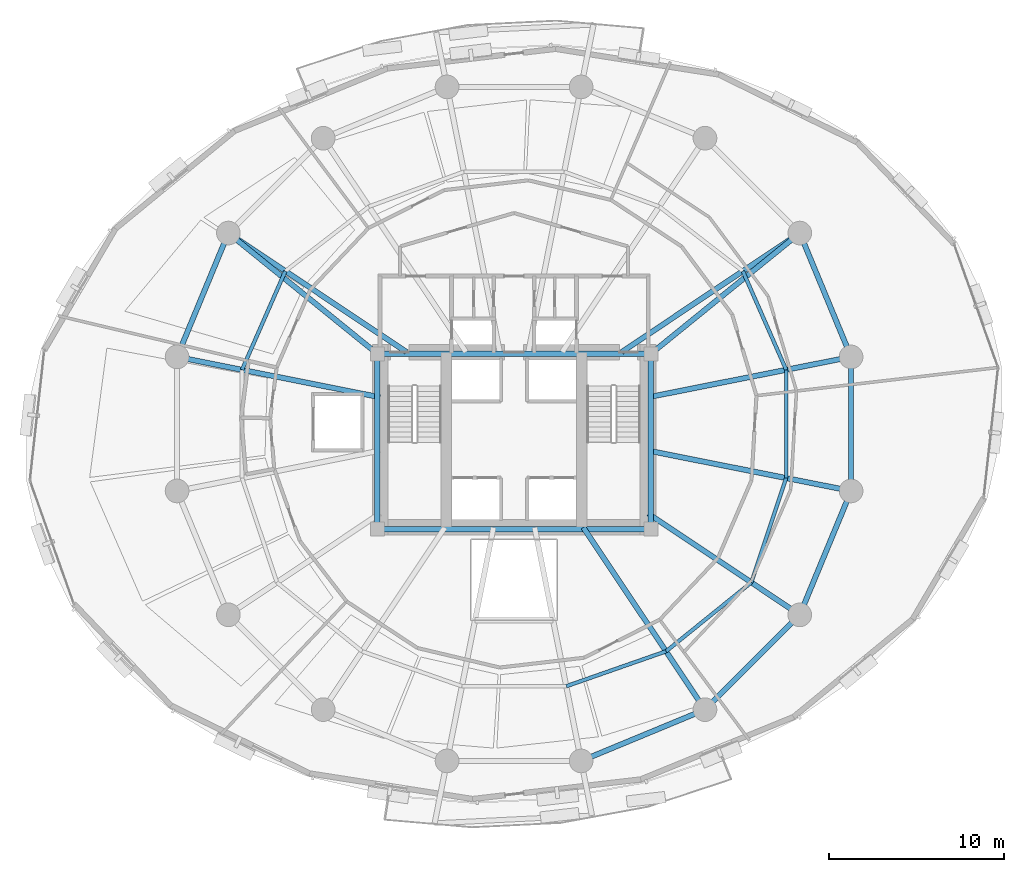
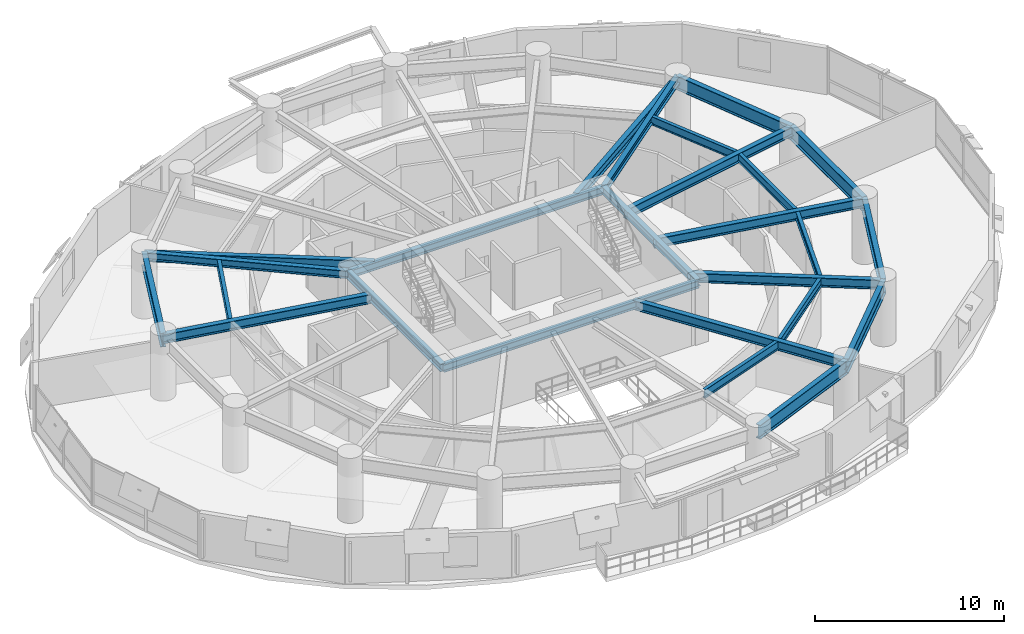
# One storey, part 7 of 17: 25 beams.
"""IFC4 building model written with IfcOpenShell, lengths in metres."""

from ifc_helpers import new_model, si_unit, direction, frame, origin, origin_2d, place, context, subcontext, project, spatial, i_section, extrude, material, material_profile, profile_set, type_object, element, save


model = new_model("IFC4")

# Units and contexts
model_context = context("Model", 3, precision=1e-05, world=origin(), true_north=direction((0.0, 1.0)))
body_context = subcontext(model_context, "Body", "Model", "MODEL_VIEW")
ifc_project = project(units=[si_unit("LENGTHUNIT", "METRE"), si_unit("AREAUNIT", "SQUARE_METRE"), si_unit("VOLUMEUNIT", "CUBIC_METRE"), si_unit("PLANEANGLEUNIT", "RADIAN"), si_unit("MASSUNIT", "GRAM", prefix="KILO"), si_unit("THERMODYNAMICTEMPERATUREUNIT", "KELVIN"), si_unit("POWERUNIT", "WATT")], contexts=[model_context])

# Site, building, storey
site_placement = place(None, origin())
site = spatial("IfcSite", under=ifc_project, at=site_placement, CompositionType="ELEMENT")
building_placement = place(site_placement, origin())
building = spatial("IfcBuilding", under=site, at=building_placement, Name="Ocrelia Relay Tower", CompositionType="ELEMENT")
storey_placement = place(building_placement, frame((0.0, 0.0, 59.39990234375)))
storey = spatial("IfcBuildingStorey", under=building, at=storey_placement, Name="L13", CompositionType="ELEMENT", Elevation=59.39990234375)

# Beams
ifc_material = material(Name="Steel S355", Category="steel")
ifc_material_profile_1 = material_profile(ifc_material, i_section(OverallWidth=0.300048828125, OverallDepth=0.5, WebThickness=0.014404296875, FlangeThickness=0.028076171875, FilletRadius=0.027099609375, at=origin_2d()), Name="HEB 500")
ifc_profile_set_1 = profile_set([ifc_material_profile_1], Name="Steel S355")
beam_type_1 = type_object("IfcBeamType", Name="BM-HEB500", PredefinedType="BEAM", material=ifc_profile_set_1)
for number, where, z_axis, x_axis, name in (
    (1, (26.199951171875, 20.0, 3.670166015625), (1.0, 0.0, 0.0), (0.0, 1.0, 0.0), "L13 Core Pilaster Tie Beam S"),
    (2, (26.199951171875, 30.0, 3.670166015625), (1.0, 0.0, 0.0), (0.0, 1.0, 0.0), "L13 Core Pilaster Tie Beam N"),
):
    element("IfcBeam", number, at=place(storey_placement, frame(where, z_axis=z_axis, x_axis=x_axis)), inside=storey, type_object=beam_type_1, Name=name, PredefinedType="BEAM", context=body_context, shape_type="SweptSolid", body=[
        extrude(i_section(OverallWidth=0.300048828125, OverallDepth=0.5, WebThickness=0.014404296875, FlangeThickness=0.028076171875, FilletRadius=0.027099609375, at=origin_2d()), origin(), (0.0, 0.0, 1.0), 15.60009765625),
    ])
for number, where, z_axis, x_axis, name in (
    (3, (26.199951171875, 20.0, 3.670166015625), (0.0, 1.0, 0.0), (-1.0, 0.0, 0.0), "L13 Core Pilaster Tie Beam W"),
    (4, (41.800048828125, 20.0, 3.670166015625), (0.0, 1.0, 0.0), (-1.0, 0.0, 0.0), "L13 Core Pilaster Tie Beam E"),
):
    element("IfcBeam", number, at=place(storey_placement, frame(where, z_axis=z_axis, x_axis=x_axis)), inside=storey, type_object=beam_type_1, Name=name, PredefinedType="BEAM", context=body_context, shape_type="SweptSolid", body=[
        extrude(i_section(OverallWidth=0.300048828125, OverallDepth=0.5, WebThickness=0.014404296875, FlangeThickness=0.028076171875, FilletRadius=0.027099609375, at=origin_2d()), origin(), (0.0, 0.0, 1.0), 10.0),
    ])
for number, where, z_axis, x_axis, name in (
    (5, (50.296875, 36.88916015625, 3.670166015625), (-0.776762830896, -0.629793223637, 0.0), (0.629793223637, -0.776762830896, 0.0), "L13 Core Pilaster Frame Tie Beam PT02"),
    (6, (17.703125, 36.88916015625, 3.670166015625), (0.776762830896, -0.629793223637, 0.0), (0.629793223637, 0.776762830896, 0.0), "L13 Core Pilaster Frame Tie Beam PT07"),
):
    element("IfcBeam", number, at=place(storey_placement, frame(where, z_axis=z_axis, x_axis=x_axis)), inside=storey, type_object=beam_type_1, Name=name, PredefinedType="BEAM", context=body_context, shape_type="SweptSolid", body=[
        extrude(i_section(OverallWidth=0.300048828125, OverallDepth=0.5, WebThickness=0.014404296875, FlangeThickness=0.028076171875, FilletRadius=0.027099609375, at=origin_2d()), origin(), (0.0, 0.0, 1.0), 10.938720703125),
    ])
ifc_material_profile_2 = material_profile(ifc_material, i_section(OverallWidth=0.300048828125, OverallDepth=0.60009765625, WebThickness=0.015380859375, FlangeThickness=0.030029296875, FilletRadius=0.027099609375, at=origin_2d()), Name="HEB 600")
ifc_profile_set_2 = profile_set([ifc_material_profile_2], Name="Steel S355")
beam_type_2 = type_object("IfcBeamType", Name="BM-HEB600", PredefinedType="BEAM", material=ifc_profile_set_2)
beam_1_placement = place(storey_placement, frame((53.223388671875, 29.82373046875, 3.6201171875), z_axis=(-0.980786324446, -0.195085073187, 0.0), x_axis=(0.195085073187, -0.980786324446, 0.0)))
element("IfcBeam", 7, at=beam_1_placement, inside=storey, type_object=beam_type_2, Name="L13 Radial Floor Girder R01", PredefinedType="BEAM", context=body_context, shape_type="SweptSolid", body=[
    extrude(i_section(OverallWidth=0.300048828125, OverallDepth=0.60009765625, WebThickness=0.015380859375, FlangeThickness=0.030029296875, FilletRadius=0.027099609375, at=origin_2d()), origin(), (0.0, 0.0, 1.0), 11.794921875),
])
for number, where, z_axis, x_axis, name in (
    (8, (50.296875, 36.88916015625, 3.6201171875), (-0.831471581268, -0.555567286243, 0.0), (0.555567286243, -0.831471581268, 0.0), "L13 Radial Floor Girder R02"),
    (9, (17.703125, 36.88916015625, 3.6201171875), (0.831471581268, -0.555567286243, 0.0), (0.555567286243, 0.831471581268, 0.0), "L13 Radial Floor Girder R07"),
):
    element("IfcBeam", number, at=place(storey_placement, frame(where, z_axis=z_axis, x_axis=x_axis)), inside=storey, type_object=beam_type_2, Name=name, PredefinedType="BEAM", context=body_context, shape_type="SweptSolid", body=[
        extrude(i_section(OverallWidth=0.300048828125, OverallDepth=0.60009765625, WebThickness=0.015380859375, FlangeThickness=0.030029296875, FilletRadius=0.027099609375, at=origin_2d()), origin(), (0.0, 0.0, 1.0), 12.211181640625),
    ])
beam_2_placement = place(storey_placement, frame((14.776611328125, 29.82373046875, 3.6201171875), z_axis=(0.980786938484, -0.195081986098, 0.0), x_axis=(0.195081986098, 0.980786938484, 0.0)))
element("IfcBeam", 10, at=beam_2_placement, inside=storey, type_object=beam_type_2, Name="L13 Radial Floor Girder R08", PredefinedType="BEAM", context=body_context, shape_type="SweptSolid", body=[
    extrude(i_section(OverallWidth=0.300048828125, OverallDepth=0.60009765625, WebThickness=0.015380859375, FlangeThickness=0.030029296875, FilletRadius=0.027099609375, at=origin_2d()), origin(), (0.0, 0.0, 1.0), 11.80517578125),
])
beam_3_placement = place(storey_placement, frame((44.88916015625, 9.703125, 3.6201171875), z_axis=(-0.555569912646, 0.831469826369, 0.0), x_axis=(-0.831469826369, -0.555569912646, 0.0)))
element("IfcBeam", 11, at=beam_3_placement, inside=storey, type_object=beam_type_2, Name="L13 Radial Floor Girder R14", PredefinedType="BEAM", context=body_context, shape_type="SweptSolid", body=[
    extrude(i_section(OverallWidth=0.300048828125, OverallDepth=0.60009765625, WebThickness=0.015380859375, FlangeThickness=0.030029296875, FilletRadius=0.027099609375, at=origin_2d()), origin(), (0.0, 0.0, 1.0), 12.498046875),
])
beam_4_placement = place(storey_placement, frame((50.296875, 15.11083984375, 3.6201171875), z_axis=(-0.831475246583, 0.555561800631, 0.0), x_axis=(-0.555561800631, -0.831475246583, 0.0)))
element("IfcBeam", 12, at=beam_4_placement, inside=storey, type_object=beam_type_2, Name="L13 Radial Floor Girder R15", PredefinedType="BEAM", context=body_context, shape_type="SweptSolid", body=[
    extrude(i_section(OverallWidth=0.300048828125, OverallDepth=0.60009765625, WebThickness=0.015380859375, FlangeThickness=0.030029296875, FilletRadius=0.027099609375, at=origin_2d()), origin(), (0.0, 0.0, 1.0), 10.393310546875),
])
beam_5_placement = place(storey_placement, frame((53.223388671875, 22.17626953125, 3.6201171875), z_axis=(-0.980786324446, 0.195085073187, 0.0), x_axis=(-0.195085073187, -0.980786324446, 0.0)))
element("IfcBeam", 13, at=beam_5_placement, inside=storey, type_object=beam_type_2, Name="L13 Radial Floor Girder R16", PredefinedType="BEAM", context=body_context, shape_type="SweptSolid", body=[
    extrude(i_section(OverallWidth=0.300048828125, OverallDepth=0.60009765625, WebThickness=0.015380859375, FlangeThickness=0.030029296875, FilletRadius=0.027099609375, at=origin_2d()), origin(), (0.0, 0.0, 1.0), 11.794921875),
])
ifc_material_profile_3 = material_profile(ifc_material, i_section(OverallWidth=0.300048828125, OverallDepth=0.89990234375, WebThickness=0.0185546875, FlangeThickness=0.034912109375, FilletRadius=0.030029296875, at=origin_2d()), Name="HEB 900")
ifc_profile_set_3 = profile_set([ifc_material_profile_3], Name="Steel S355")
beam_type_3 = type_object("IfcBeamType", Name="BM-HEB900", PredefinedType="BEAM", material=ifc_profile_set_3)
for number, where, z_axis, x_axis, name in (
    (14, (53.223388671875, 29.82373046875, 3.47021484375), (-0.382674154222, 0.923883375589, 0.0), (-0.923883375589, -0.382674154222, 0.0), "L13 Perimeter Spandrel Beam S01"),
    (15, (17.703125, 36.88916015625, 3.47021484375), (-0.382674154222, -0.923883375589, 0.0), (0.923883375589, -0.382674154222, 0.0), "L13 Perimeter Spandrel Beam S07"),
    (16, (37.82373046875, 6.776611328125, 3.47021484375), (0.923883375589, 0.382674154222, 0.0), (-0.382674154222, 0.923883375589, 0.0), "L13 Perimeter Spandrel Beam S13"),
):
    element("IfcBeam", number, at=place(storey_placement, frame(where, z_axis=z_axis, x_axis=x_axis)), inside=storey, type_object=beam_type_3, Name=name, PredefinedType="BEAM", context=body_context, shape_type="SweptSolid", body=[
        extrude(i_section(OverallWidth=0.300048828125, OverallDepth=0.89990234375, WebThickness=0.0185546875, FlangeThickness=0.034912109375, FilletRadius=0.030029296875, at=origin_2d()), origin(), (0.0, 0.0, 1.0), 7.6474609375),
    ])
beam_6_placement = place(storey_placement, frame((44.88916015625, 9.703125, 3.47021484375), z_axis=(0.707106781187, 0.707106781187, 0.0), x_axis=(-0.707106781187, 0.707106781187, 0.0)))
element("IfcBeam", 17, at=beam_6_placement, inside=storey, type_object=beam_type_3, Name="L13 Perimeter Spandrel Beam S14", PredefinedType="BEAM", context=body_context, shape_type="SweptSolid", body=[
    extrude(i_section(OverallWidth=0.300048828125, OverallDepth=0.89990234375, WebThickness=0.0185546875, FlangeThickness=0.034912109375, FilletRadius=0.030029296875, at=origin_2d()), origin(), (0.0, 0.0, 1.0), 7.647705078125),
])
for number, where, z_axis, x_axis, name in (
    (18, (50.296875, 15.11083984375, 3.47021484375), (0.382674154222, 0.923883375589, 0.0), (-0.923883375589, 0.382674154222, 0.0), "L13 Perimeter Spandrel Beam S15"),
    (19, (53.223388671875, 22.17626953125, 3.47021484375), (0.0, 1.0, 0.0), (-1.0, 0.0, 0.0), "L13 Perimeter Spandrel Beam S16"),
):
    element("IfcBeam", number, at=place(storey_placement, frame(where, z_axis=z_axis, x_axis=x_axis)), inside=storey, type_object=beam_type_3, Name=name, PredefinedType="BEAM", context=body_context, shape_type="SweptSolid", body=[
        extrude(i_section(OverallWidth=0.300048828125, OverallDepth=0.89990234375, WebThickness=0.0185546875, FlangeThickness=0.034912109375, FilletRadius=0.030029296875, at=origin_2d()), origin(), (0.0, 0.0, 1.0), 7.6474609375),
    ])
ifc_material_profile_4 = material_profile(ifc_material, i_section(OverallWidth=0.2099609375, OverallDepth=0.550048828125, WebThickness=0.010986328125, FlangeThickness=0.01708984375, FilletRadius=0.02392578125, at=origin_2d()), Name="IPE 550")
ifc_profile_set_4 = profile_set([ifc_material_profile_4], Name="Steel S355")
beam_type_4 = type_object("IfcBeamType", Name="BM-IPE550", PredefinedType="JOIST", material=ifc_profile_set_4)
beam_7_placement = place(storey_placement, frame((49.521484375, 29.08740234375, 3.64501953125), z_axis=(-0.402201104053, 0.915551348586, 0.0), x_axis=(-0.915551348586, -0.402201104053, 0.0)))
element("IfcBeam", 20, at=beam_7_placement, inside=storey, type_object=beam_type_4, Name="L13 Secondary Floor Joist J01", PredefinedType="JOIST", context=body_context, shape_type="SweptSolid", body=[
    extrude(i_section(OverallWidth=0.2099609375, OverallDepth=0.550048828125, WebThickness=0.010986328125, FlangeThickness=0.01708984375, FilletRadius=0.02392578125, at=origin_2d()), origin(), (0.0, 0.0, 1.0), 6.150146484375),
])
beam_8_placement = place(storey_placement, frame((20.9521484375, 34.71826171875, 3.64501953125), z_axis=(-0.401739185135, -0.915754130281, 0.0), x_axis=(0.915754130281, -0.401739185135, 0.0)))
element("IfcBeam", 21, at=beam_8_placement, inside=storey, type_object=beam_type_4, Name="L13 Secondary Floor Joist J07", PredefinedType="JOIST", context=body_context, shape_type="SweptSolid", body=[
    extrude(i_section(OverallWidth=0.2099609375, OverallDepth=0.550048828125, WebThickness=0.010986328125, FlangeThickness=0.01708984375, FilletRadius=0.02392578125, at=origin_2d()), origin(), (0.0, 0.0, 1.0), 6.1494140625),
])
beam_9_placement = place(storey_placement, frame((36.97607421875, 11.03857421875, 3.64501953125), z_axis=(0.943957429675, 0.330067221882, 0.0), x_axis=(-0.330067221882, 0.943957429675, 0.0)))
element("IfcBeam", 22, at=beam_9_placement, inside=storey, type_object=beam_type_4, Name="L13 Secondary Floor Joist J13", PredefinedType="JOIST", context=body_context, shape_type="SweptSolid", body=[
    extrude(i_section(OverallWidth=0.2099609375, OverallDepth=0.550048828125, WebThickness=0.010986328125, FlangeThickness=0.01708984375, FilletRadius=0.02392578125, at=origin_2d()), origin(), (0.0, 0.0, 1.0), 6.029052734375),
])
beam_10_placement = place(storey_placement, frame((42.667236328125, 13.028564453125, 3.64501953125), z_axis=(0.777854562422, 0.628444333031, 0.0), x_axis=(-0.628444333031, 0.777854562422, 0.0)))
element("IfcBeam", 23, at=beam_10_placement, inside=storey, type_object=beam_type_4, Name="L13 Secondary Floor Joist J14", PredefinedType="JOIST", context=body_context, shape_type="SweptSolid", body=[
    extrude(i_section(OverallWidth=0.2099609375, OverallDepth=0.550048828125, WebThickness=0.010986328125, FlangeThickness=0.01708984375, FilletRadius=0.02392578125, at=origin_2d()), origin(), (0.0, 0.0, 1.0), 6.25341796875),
])
beam_11_placement = place(storey_placement, frame((47.531494140625, 16.95849609375, 3.64501953125), z_axis=(0.31698600471, 0.948430215049, 0.0), x_axis=(-0.948430215049, 0.31698600471, 0.0)))
element("IfcBeam", 24, at=beam_11_placement, inside=storey, type_object=beam_type_4, Name="L13 Secondary Floor Joist J15", PredefinedType="JOIST", context=body_context, shape_type="SweptSolid", body=[
    extrude(i_section(OverallWidth=0.2099609375, OverallDepth=0.550048828125, WebThickness=0.010986328125, FlangeThickness=0.01708984375, FilletRadius=0.02392578125, at=origin_2d()), origin(), (0.0, 0.0, 1.0), 6.27783203125),
])
beam_12_placement = place(storey_placement, frame((49.521484375, 22.91259765625, 3.64501953125), z_axis=(0.0, 1.0, 0.0), x_axis=(-1.0, 0.0, 0.0)))
element("IfcBeam", 25, at=beam_12_placement, inside=storey, type_object=beam_type_4, Name="L13 Secondary Floor Joist J16", PredefinedType="JOIST", context=body_context, shape_type="SweptSolid", body=[
    extrude(i_section(OverallWidth=0.2099609375, OverallDepth=0.550048828125, WebThickness=0.010986328125, FlangeThickness=0.01708984375, FilletRadius=0.02392578125, at=origin_2d()), origin(), (0.0, 0.0, 1.0), 6.1748046875),
])

save(model, "model.ifc")
